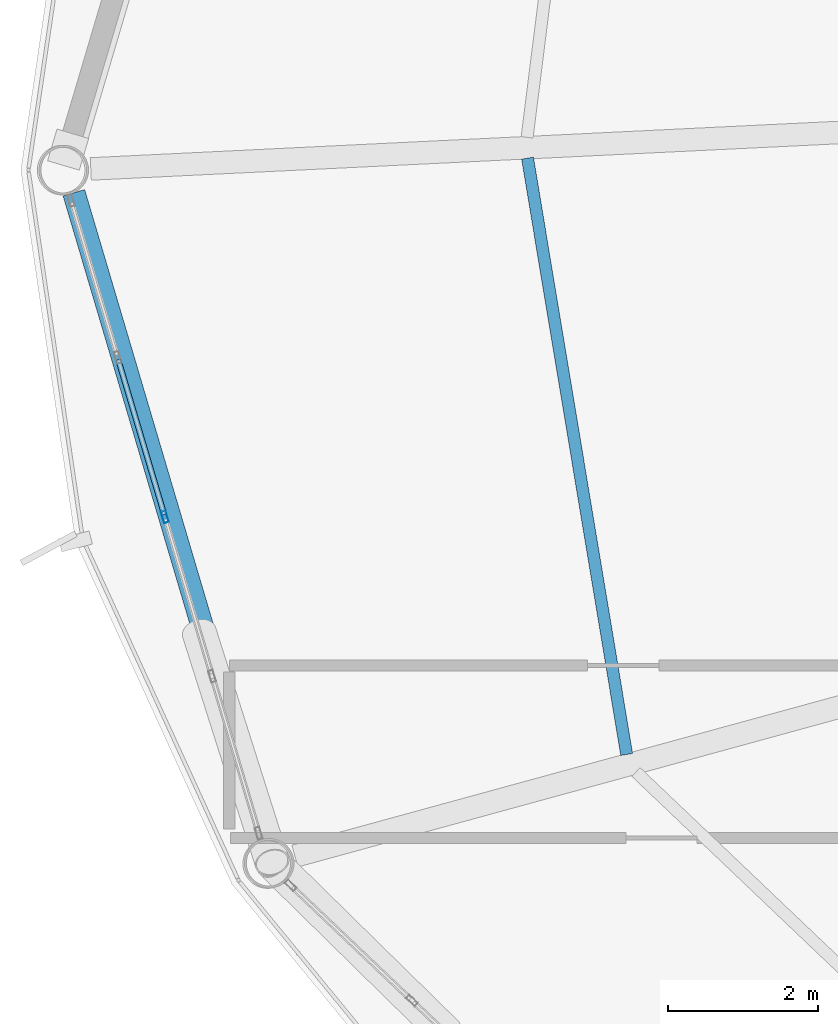
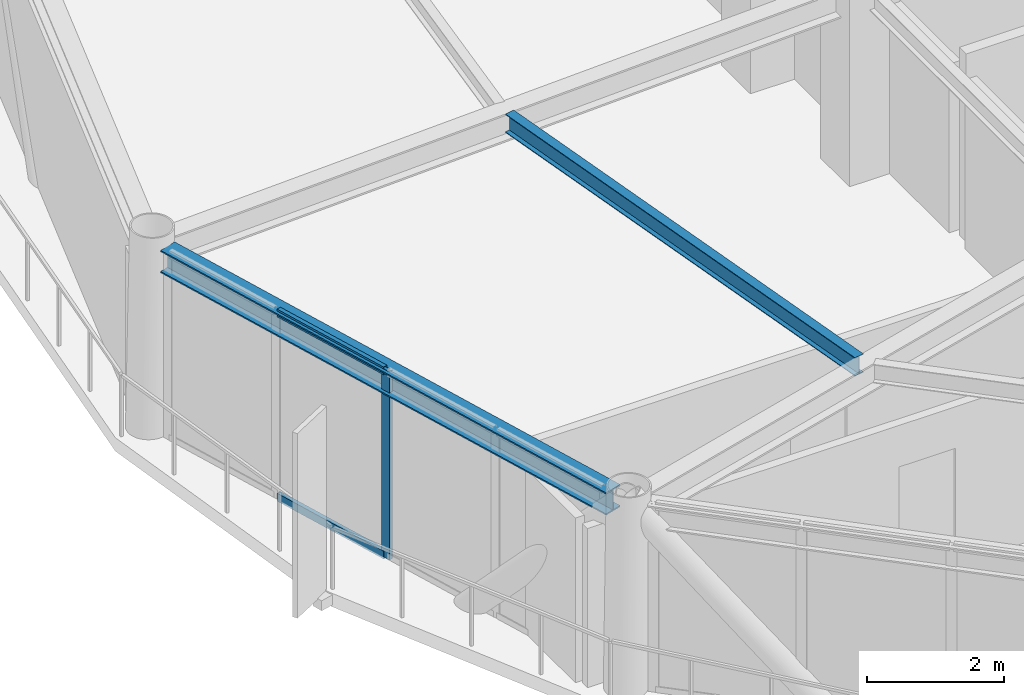
# One storey, part 6 of 29: 3 members, 2 beams, 1 element without a shape of its own.
"""IFC4 building model written with IfcOpenShell, lengths in metres."""

from ifc_helpers import new_model, si_unit, direction, frame, origin, origin_2d, place, context, subcontext, project, spatial, hollow_rectangle, i_section, extrude, material, layer, layer_set, material_profile, profile_set, type_object, element, aggregate, save


model = new_model("IFC4")

# Units and contexts
model_context = context("Model", 3, precision=1e-05, world=origin(), true_north=direction((0.0, 1.0)))
body_context = subcontext(model_context, "Body", "Model", "MODEL_VIEW")
ifc_project = project(units=[si_unit("LENGTHUNIT", "METRE"), si_unit("AREAUNIT", "SQUARE_METRE"), si_unit("VOLUMEUNIT", "CUBIC_METRE"), si_unit("PLANEANGLEUNIT", "RADIAN"), si_unit("MASSUNIT", "GRAM", prefix="KILO")], contexts=[model_context])

# Site, building, storey
site_placement = place(None, origin())
site = spatial("IfcSite", under=ifc_project, at=site_placement, CompositionType="ELEMENT")
building_placement = place(site_placement, origin())
building = spatial("IfcBuilding", under=site, at=building_placement, Name="Varnakorn Sky Granary", CompositionType="ELEMENT")
storey_placement = place(building_placement, frame((0.0, 0.0, 189.60009765625)))
storey = spatial("IfcBuildingStorey", under=building, at=storey_placement, Name="L47", CompositionType="ELEMENT", Elevation=189.60009765625)

# Beams
ifc_material_1 = material(Name="Steel S355JR", Category="steel")
ifc_material_profile_1 = material_profile(ifc_material_1, i_section(OverallWidth=0.159912109375, OverallDepth=0.330078125, WebThickness=0.007568359375, FlangeThickness=0.011474609375, at=origin_2d()), Name="IPE 330")
ifc_profile_set_1 = profile_set([ifc_material_profile_1], Name="Steel S355JR")
beam_type_1 = type_object("IfcBeamType", Name="BM-SEC-Z4", PredefinedType="BEAM", material=ifc_profile_set_1)
beam_1_placement = place(storey_placement, frame((-8.527587890625, 0.15966796875, 3.19482421875), z_axis=(0.164049976346, -0.986452028869, 0.0), x_axis=(0.986452028869, 0.164049976346, 0.0)))
element("IfcBeam", 1, at=beam_1_placement, inside=storey, type_object=beam_type_1, Name="Secondary Floor Chord Beam MSB07 L47", PredefinedType="BEAM", context=body_context, shape_type="SweptSolid", body=[
    extrude(i_section(OverallWidth=0.159912109375, OverallDepth=0.330078125, WebThickness=0.007568359375, FlangeThickness=0.011474609375, at=origin_2d()), origin(), (0.0, 0.0, 1.0), 8.05419921875),
])
ifc_material_profile_2 = material_profile(ifc_material_1, i_section(OverallWidth=0.300048828125, OverallDepth=0.39990234375, WebThickness=0.013427734375, FlangeThickness=0.02392578125, at=origin_2d()), Name="HE 400 B")
ifc_profile_set_2 = profile_set([ifc_material_profile_2], Name="Steel S355JR")
beam_type_2 = type_object("IfcBeamType", Name="BM-SPD-Z4", PredefinedType="SPANDREL", material=ifc_profile_set_2)
beam_2_placement = place(storey_placement, frame((-14.571533203125, -0.302001953125, 3.159912109375), z_axis=(0.28390984566, -0.958850978795, 0.0), x_axis=(0.958850978795, 0.28390984566, 0.0)))
element("IfcBeam", 2, at=beam_2_placement, inside=storey, type_object=beam_type_2, Name="Perimeter Spandrel Ring Beam RB07 L47", PredefinedType="SPANDREL", context=body_context, shape_type="SweptSolid", body=[
    extrude(i_section(OverallWidth=0.300048828125, OverallDepth=0.39990234375, WebThickness=0.013427734375, FlangeThickness=0.02392578125, at=origin_2d()), origin(), (0.0, 0.0, 1.0), 8.98876953125),
])

# Curtain wall, members
ifc_material_2 = material(Name="Anodised Bronze Aluminium Alloy 6063-T6", Category="aluminium")
ifc_layer = layer(ifc_material_2, 0.169921875, Name="Anodised Bronze Aluminium Alloy 6063-T6")
ifc_layer_set = layer_set([ifc_layer], Name="Anodised Bronze Aluminium Alloy 6063-T6")
curtain_wall_type = type_object("IfcCurtainWallType", Name="CW-LAB-1", PredefinedType="USERDEFINED", material=ifc_layer_set)
curtain_wall_placement = place(storey_placement, origin())
curtain_wall = element("IfcCurtainWall", 3, at=curtain_wall_placement, inside=storey, type_object=curtain_wall_type, Name="Unitised Curtain Wall CW5 CW-L47-B07", ObjectType="CURTAIN WALL", PredefinedType="USERDEFINED")
ifc_material_profile_3 = material_profile(ifc_material_2, hollow_rectangle(XDim=0.06494140625, YDim=0.159912109375, WallThickness=0.00341796875, at=origin_2d()), Name="ALU MULL 65x160")
ifc_profile_set_3 = profile_set([ifc_material_profile_3], Name="Anodised Bronze Aluminium Alloy 6063-T6")
member_type_1 = type_object("IfcMemberType", Name="CW-LAB-1-MULL", PredefinedType="MULLION", material=ifc_profile_set_3)
member_1_placement = place(storey_placement, frame((-13.35888671875, -4.6201171875, 0.0), z_axis=(0.0, 0.0, 1.0), x_axis=(-0.958736816121, -0.284295123796, 0.0)))
member_1 = element("IfcMember", 4, at=member_1_placement, type_object=member_type_1, Name="CW5 mullion 3", PredefinedType="MULLION", context=body_context, shape_type="SweptSolid", body=[
    extrude(hollow_rectangle(XDim=0.06494140625, YDim=0.159912109375, WallThickness=0.00341796875, at=origin_2d()), origin(), (0.0, 0.0, 1.0), 3.35986328125),
])
ifc_material_profile_4 = material_profile(ifc_material_2, hollow_rectangle(XDim=0.070068359375, YDim=0.139892578125, WallThickness=0.00341796875, at=origin_2d()), Name="ALU TRAN 70x140")
ifc_profile_set_4 = profile_set([ifc_material_profile_4], Name="Anodised Bronze Aluminium Alloy 6063-T6")
member_type_2 = type_object("IfcMemberType", Name="CW-LAB-1-TRAN", PredefinedType="USERDEFINED", material=ifc_profile_set_4)
member_2_placement = place(storey_placement, frame((-13.3681640625, -4.5888671875, 0.034912109375), z_axis=(-0.284293284657, 0.958737361481, 0.0), x_axis=(-0.958737361481, -0.284293284657, 0.0)))
member_2 = element("IfcMember", 5, at=member_2_placement, type_object=member_type_2, Name="CW5 transom 3.1", ObjectType="TRANSOM", PredefinedType="USERDEFINED", context=body_context, shape_type="SweptSolid", body=[
    extrude(hollow_rectangle(XDim=0.070068359375, YDim=0.139892578125, WallThickness=0.00341796875, at=origin_2d()), origin(), (0.0, 0.0, 1.0), 2.1494140625),
])
member_3_placement = place(storey_placement, frame((-13.3681640625, -4.5888671875, 3.324951171875), z_axis=(-0.284293284657, 0.958737361481, 0.0), x_axis=(-0.958737361481, -0.284293284657, 0.0)))
member_3 = element("IfcMember", 6, at=member_3_placement, type_object=member_type_2, Name="CW5 transom 3.2", ObjectType="TRANSOM", PredefinedType="USERDEFINED", context=body_context, shape_type="SweptSolid", body=[
    extrude(hollow_rectangle(XDim=0.070068359375, YDim=0.139892578125, WallThickness=0.00341796875, at=origin_2d()), origin(), (0.0, 0.0, 1.0), 2.1494140625),
])
aggregate(curtain_wall, [member_1, member_2, member_3])

save(model, "model.ifc")
